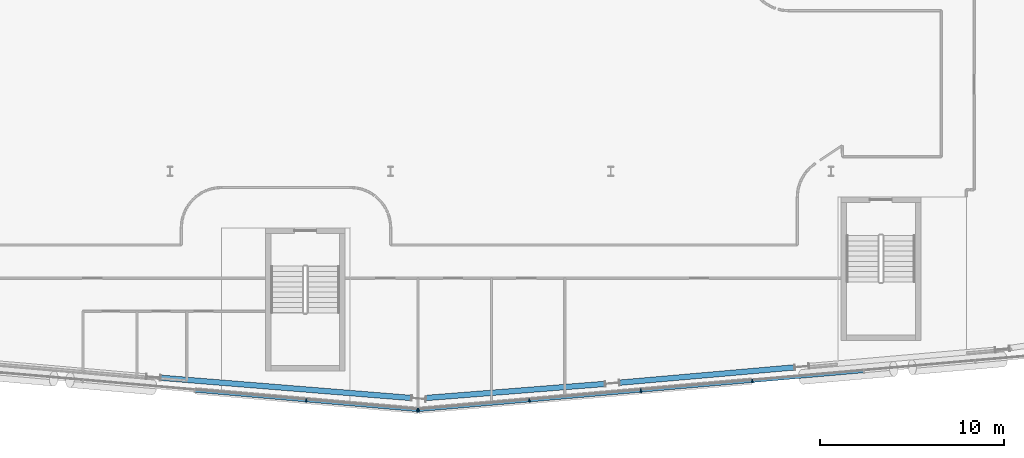
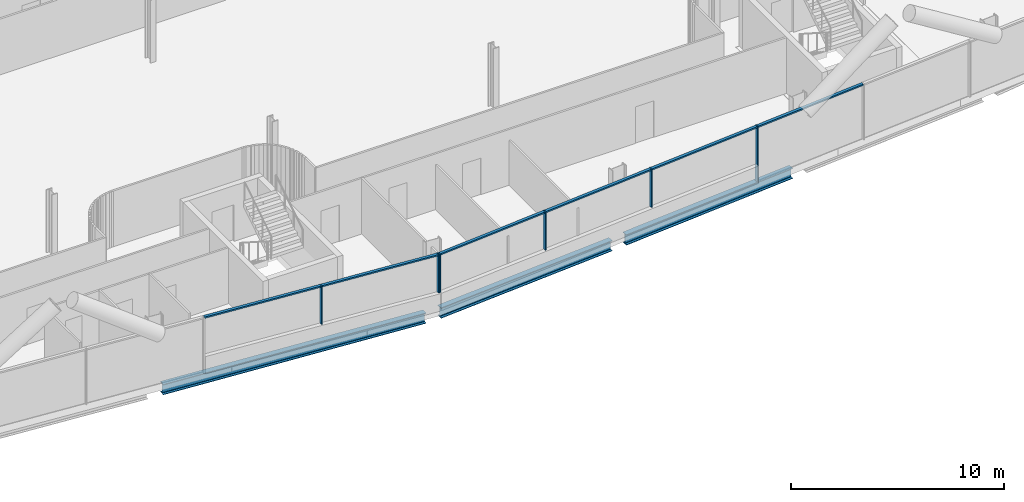
# One storey, part 7 of 30: 12 members, 3 beams, 2 elements without a shape of their own.
"""IFC4 building model written with IfcOpenShell, lengths in metres."""

from ifc_helpers import new_model, si_unit, direction, frame, origin, origin_2d, place, context, subcontext, project, spatial, rectangle, i_section, extrude, material, material_profile, profile_set, type_object, element, aggregate, save


model = new_model("IFC4")

# Units and contexts
model_context = context("Model", 3, precision=1e-05, world=origin(), true_north=direction((0.0, 1.0)))
body_context = subcontext(model_context, "Body", "Model", "MODEL_VIEW")
ifc_project = project(units=[si_unit("LENGTHUNIT", "METRE"), si_unit("AREAUNIT", "SQUARE_METRE"), si_unit("VOLUMEUNIT", "CUBIC_METRE"), si_unit("PLANEANGLEUNIT", "RADIAN"), si_unit("MASSUNIT", "GRAM", prefix="KILO")], contexts=[model_context])

# Site, building, storey
site_placement = place(None, origin())
site = spatial("IfcSite", under=ifc_project, at=site_placement, CompositionType="ELEMENT")
building_placement = place(site_placement, origin())
building = spatial("IfcBuilding", under=site, at=building_placement, Name="Wharfspan Tower", CompositionType="ELEMENT")
storey_placement = place(building_placement, frame((0.0, 0.0, 107.5)))
storey = spatial("IfcBuildingStorey", under=building, at=storey_placement, Name="L24", CompositionType="ELEMENT", Elevation=107.5)

# Beams
ifc_material_1 = material(Name="Steel S355J2", Category="steel")
ifc_material_profile_1 = material_profile(ifc_material_1, i_section(OverallWidth=0.300049, OverallDepth=0.600098, WebThickness=0.015381, FlangeThickness=0.030029, FilletRadius=0.0271, at=origin_2d()))
ifc_profile_set_1 = profile_set([ifc_material_profile_1], Name="Steel S355J2")
beam_type = type_object("IfcBeamType", Name="Edge beam HEB 600", PredefinedType="SPANDREL", material=ifc_profile_set_1)
beam_1_placement = place(storey_placement, frame((35.490967, 0.252197, -0.699951), z_axis=(0.996756, -0.080488, 0.0), x_axis=(0.080488, 0.996756, 0.0)))
element("IfcBeam", 1, at=beam_1_placement, inside=storey, type_object=beam_type, Name="Edge beam S1 L24 PS1.3 to PS1.4", PredefinedType="SPANDREL", context=body_context, shape_type="SweptSolid", body=[
    extrude(i_section(OverallWidth=0.300049, OverallDepth=0.600098, WebThickness=0.015381, FlangeThickness=0.030029, FilletRadius=0.0271, at=origin_2d()), origin(), (0.0, 0.0, 1.0), 13.683105),
])
beam_2_placement = place(storey_placement, frame((49.938721, -0.849365, -0.699951), z_axis=(0.996913, 0.078508, 0.0), x_axis=(-0.078508, 0.996913, 0.0)))
element("IfcBeam", 2, at=beam_2_placement, inside=storey, type_object=beam_type, Name="Edge beam S2 L24 PS1.4 to PS2.1", PredefinedType="SPANDREL", context=body_context, shape_type="SweptSolid", body=[
    extrude(i_section(OverallWidth=0.300049, OverallDepth=0.600098, WebThickness=0.015381, FlangeThickness=0.030029, FilletRadius=0.0271, at=origin_2d()), origin(), (0.0, 0.0, 1.0), 9.767578),
])
beam_3_placement = place(storey_placement, frame((60.479492, -0.015625, -0.699951), z_axis=(0.996194, 0.087164, 0.0), x_axis=(-0.087164, 0.996194, 0.0)))
element("IfcBeam", 3, at=beam_3_placement, inside=storey, type_object=beam_type, Name="Edge beam S2 L24 PS2.1 to PS2.2", PredefinedType="SPANDREL", context=body_context, shape_type="SweptSolid", body=[
    extrude(i_section(OverallWidth=0.300049, OverallDepth=0.600098, WebThickness=0.015381, FlangeThickness=0.030029, FilletRadius=0.0271, at=origin_2d()), origin(), (0.0, 0.0, 1.0), 9.55957),
])

# Curtain wall, members
ifc_material_2 = material(Name="Aluminium 6063-T6", Category="aluminium")
curtain_wall_type = type_object("IfcCurtainWallType", Name="CURTAIN WALL FACETED FRONT", PredefinedType="NOTDEFINED", material=ifc_material_2)
curtain_wall_1_placement = place(storey_placement, origin())
curtain_wall_1 = element("IfcCurtainWall", 4, at=curtain_wall_1_placement, inside=storey, type_object=curtain_wall_type, Name="Curtain wall S1", PredefinedType="NOTDEFINED")
ifc_material_profile_2 = material_profile(ifc_material_2, rectangle(XDim=0.199951, YDim=0.060059, at=origin_2d()))
ifc_profile_set_2 = profile_set([ifc_material_profile_2], Name="Aluminium 6063-T6")
member_type_1 = type_object("IfcMemberType", Name="MULLION FACETED FRONT 60x200", PredefinedType="MULLION", material=ifc_profile_set_2)
member_1_placement = place(storey_placement, frame((43.416748, -0.986084, 1.0), z_axis=(0.0, 0.0, 1.0), x_axis=(0.087156, 0.996198, 0.0)))
member_1 = element("IfcMember", 5, at=member_1_placement, type_object=member_type_1, Name="Curtain wall S1 mullion 6", PredefinedType="MULLION", context=body_context, shape_type="SweptSolid", body=[
    extrude(rectangle(XDim=0.199951, YDim=0.060059, at=origin_2d()), origin(), (0.0, 0.0, 1.0), 2.199951),
])
member_2_placement = place(storey_placement, frame((49.470215, -1.515625, 1.0), z_axis=(0.0, 0.0, 1.0), x_axis=(0.087156, 0.996198, 0.0)))
member_2 = element("IfcMember", 6, at=member_2_placement, type_object=member_type_1, Name="Curtain wall S1 mullion 7", PredefinedType="MULLION", context=body_context, shape_type="SweptSolid", body=[
    extrude(rectangle(XDim=0.199951, YDim=0.060059, at=origin_2d()), origin(), (0.0, 0.0, 1.0), 2.199951),
])

curtain_wall_2_placement = place(storey_placement, origin())
curtain_wall_2 = element("IfcCurtainWall", 7, at=curtain_wall_2_placement, inside=storey, type_object=curtain_wall_type, Name="Curtain wall S2", PredefinedType="NOTDEFINED")
member_3_placement = place(storey_placement, frame((49.529785, -1.515625, 1.0), z_axis=(0.0, 0.0, 1.0), x_axis=(-0.087156, 0.996198, 0.0)))
member_3 = element("IfcMember", 8, at=member_3_placement, type_object=member_type_1, Name="Curtain wall S2 mullion 1", PredefinedType="MULLION", context=body_context, shape_type="SweptSolid", body=[
    extrude(rectangle(XDim=0.199951, YDim=0.060059, at=origin_2d()), origin(), (0.0, 0.0, 1.0), 2.199951),
])
member_4_placement = place(storey_placement, frame((55.571533, -0.987061, 1.0), z_axis=(0.0, 0.0, 1.0), x_axis=(-0.087156, 0.996198, 0.0)))
member_4 = element("IfcMember", 9, at=member_4_placement, type_object=member_type_1, Name="Curtain wall S2 mullion 2", PredefinedType="MULLION", context=body_context, shape_type="SweptSolid", body=[
    extrude(rectangle(XDim=0.199951, YDim=0.060059, at=origin_2d()), origin(), (0.0, 0.0, 1.0), 2.199951),
])
member_5_placement = place(storey_placement, frame((61.642822, -0.455811, 1.0), z_axis=(0.0, 0.0, 1.0), x_axis=(-0.087156, 0.996198, 0.0)))
member_5 = element("IfcMember", 10, at=member_5_placement, type_object=member_type_1, Name="Curtain wall S2 mullion 3", PredefinedType="MULLION", context=body_context, shape_type="SweptSolid", body=[
    extrude(rectangle(XDim=0.199951, YDim=0.060059, at=origin_2d()), origin(), (0.0, 0.0, 1.0), 2.199951),
])
member_6_placement = place(storey_placement, frame((67.714355, 0.075195, 0.0), z_axis=(0.0, 0.0, 1.0), x_axis=(-0.087156, 0.996198, 0.0)))
member_6 = element("IfcMember", 11, at=member_6_placement, type_object=member_type_1, Name="Curtain wall S2 mullion 4", PredefinedType="MULLION", context=body_context, shape_type="SweptSolid", body=[
    extrude(rectangle(XDim=0.199951, YDim=0.060059, at=origin_2d()), origin(), (0.0, 0.0, 1.0), 3.199951),
])

# Member
ifc_material_profile_3 = material_profile(ifc_material_2, rectangle(XDim=0.159912, YDim=0.080078, at=origin_2d()))
ifc_profile_set_3 = profile_set([ifc_material_profile_3], Name="Aluminium 6063-T6")
member_type_2 = type_object("IfcMemberType", Name="TRANSOM FACETED FRONT 80x160", PredefinedType="USERDEFINED", material=ifc_profile_set_3)
member_7_placement = place(storey_placement, frame((37.363281, -0.456543, 3.159912), z_axis=(0.996197, -0.087135, 0.0), x_axis=(0.087135, 0.996197, 0.0)))
member_7 = element("IfcMember", 12, at=member_7_placement, type_object=member_type_2, Name="Curtain wall S1 transom 5", ObjectType="TRANSOM", PredefinedType="USERDEFINED", context=body_context, shape_type="SweptSolid", body=[
    extrude(rectangle(XDim=0.159912, YDim=0.080078, at=origin_2d()), origin(), (0.0, 0.0, 1.0), 6.046387),
])

member_8_placement = place(storey_placement, frame((43.446533, -0.98877, 3.159912), z_axis=(0.996198, -0.087122, 0.0), x_axis=(0.087122, 0.996198, 0.0)))
member_8 = element("IfcMember", 13, at=member_8_placement, type_object=member_type_2, Name="Curtain wall S1 transom 6", ObjectType="TRANSOM", PredefinedType="USERDEFINED", context=body_context, shape_type="SweptSolid", body=[
    extrude(rectangle(XDim=0.159912, YDim=0.080078, at=origin_2d()), origin(), (0.0, 0.0, 1.0), 6.016602),
])

aggregate(curtain_wall_1, [member_1, member_2, member_7, member_8])

member_9_placement = place(storey_placement, frame((49.559814, -1.512939, 3.159912), z_axis=(0.996197, 0.087133, 0.0), x_axis=(-0.087133, 0.996197, 0.0)))
member_9 = element("IfcMember", 14, at=member_9_placement, type_object=member_type_2, Name="Curtain wall S2 transom 1", ObjectType="TRANSOM", PredefinedType="USERDEFINED", context=body_context, shape_type="SweptSolid", body=[
    extrude(rectangle(XDim=0.159912, YDim=0.080078, at=origin_2d()), origin(), (0.0, 0.0, 1.0), 6.004639),
])

member_10_placement = place(storey_placement, frame((55.601318, -0.984375, 3.159912), z_axis=(0.996196, 0.087143, 0.0), x_axis=(-0.087143, 0.996196, 0.0)))
member_10 = element("IfcMember", 15, at=member_10_placement, type_object=member_type_2, Name="Curtain wall S2 transom 2", ObjectType="TRANSOM", PredefinedType="USERDEFINED", context=body_context, shape_type="SweptSolid", body=[
    extrude(rectangle(XDim=0.159912, YDim=0.080078, at=origin_2d()), origin(), (0.0, 0.0, 1.0), 6.034668),
])

member_11_placement = place(storey_placement, frame((61.672852, -0.453369, 3.159912), z_axis=(0.996192, 0.087187, 0.0), x_axis=(-0.087187, 0.996192, 0.0)))
member_11 = element("IfcMember", 16, at=member_11_placement, type_object=member_type_2, Name="Curtain wall S2 transom 3", ObjectType="TRANSOM", PredefinedType="USERDEFINED", context=body_context, shape_type="SweptSolid", body=[
    extrude(rectangle(XDim=0.159912, YDim=0.080078, at=origin_2d()), origin(), (0.0, 0.0, 1.0), 6.034424),
])

member_12_placement = place(storey_placement, frame((67.744141, 0.077881, 3.159912), z_axis=(0.996196, 0.087143, 0.0), x_axis=(-0.087143, 0.996196, 0.0)))
member_12 = element("IfcMember", 17, at=member_12_placement, type_object=member_type_2, Name="Curtain wall S2 transom 4", ObjectType="TRANSOM", PredefinedType="USERDEFINED", context=body_context, shape_type="SweptSolid", body=[
    extrude(rectangle(XDim=0.159912, YDim=0.080078, at=origin_2d()), origin(), (0.0, 0.0, 1.0), 6.034668),
])

aggregate(curtain_wall_2, [member_3, member_4, member_5, member_6, member_9, member_10, member_11, member_12])

save(model, "model.ifc")
